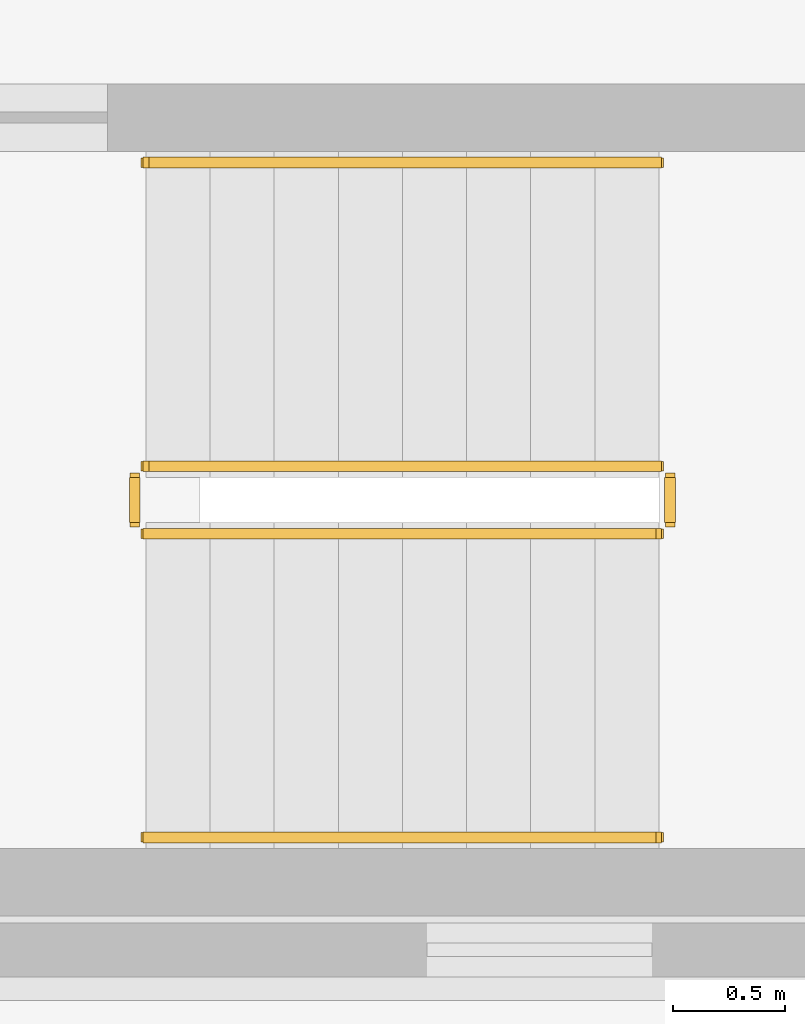
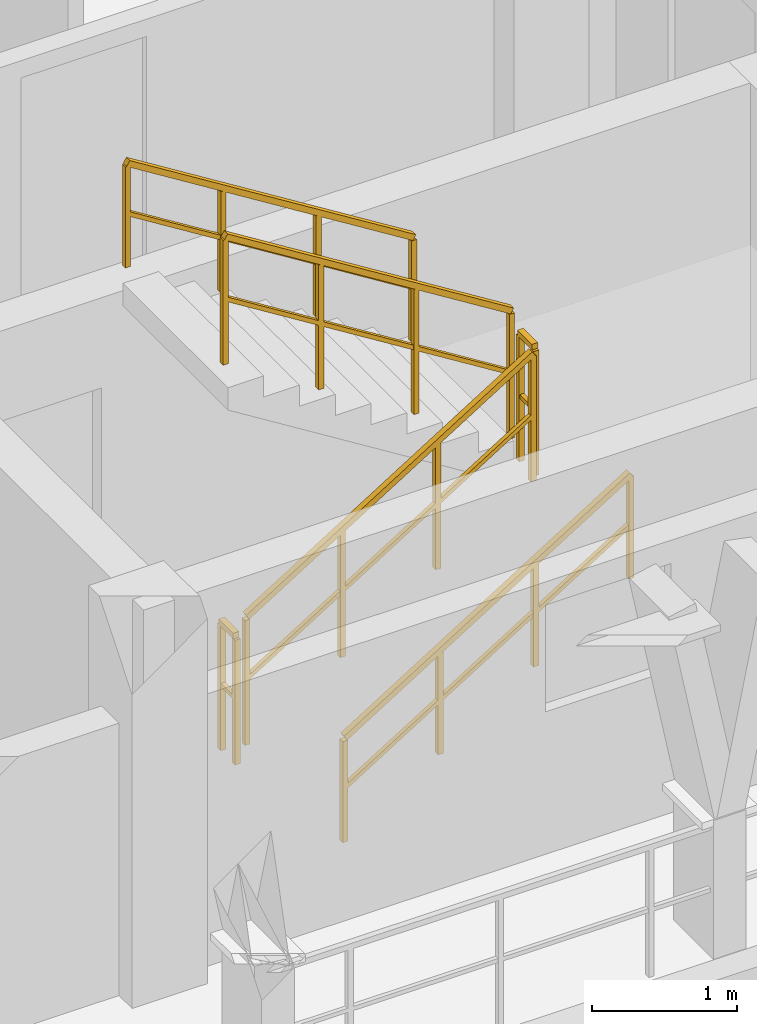
# One storey, part 51 of 56: 6 railings.
"""IFC4 building model written with IfcOpenShell, lengths in metres."""

from ifc_helpers import new_model, si_unit, direction, frame, origin, origin_2d, place, context, subcontext, project, spatial, rectangle, extrude, material, type_object, element, save


model = new_model("IFC4")

# Units and contexts
model_context = context("Model", 3, precision=1e-05, world=origin(), true_north=direction((0.0, 1.0)))
body_context = subcontext(model_context, "Body", "Model", "MODEL_VIEW")
ifc_project = project(units=[si_unit("LENGTHUNIT", "METRE"), si_unit("AREAUNIT", "SQUARE_METRE"), si_unit("VOLUMEUNIT", "CUBIC_METRE"), si_unit("PLANEANGLEUNIT", "RADIAN"), si_unit("MASSUNIT", "GRAM", prefix="KILO")], contexts=[model_context])

# Site, building, storey
site_placement = place(None, origin())
site = spatial("IfcSite", under=ifc_project, at=site_placement, CompositionType="ELEMENT")
building_placement = place(site_placement, origin())
building = spatial("IfcBuilding", under=site, at=building_placement, Name="Suanplinth Sawtooth Commons", CompositionType="ELEMENT")
storey_placement = place(building_placement, frame((0.0, 0.0, 34.800048828125)))
storey = spatial("IfcBuildingStorey", under=building, at=storey_placement, Name="L10", CompositionType="ELEMENT", Elevation=34.800048828125)

# Railings
ifc_material = material(Name="Stainless steel Grade 304", Category="steel")
railing_type_1 = type_object("IfcRailingType", Name="GR-04", PredefinedType="GUARDRAIL", material=ifc_material)
railing_1_placement = place(storey_placement, frame((59.449951171875, 109.85009765625, 0.177734375)))
element("IfcRailing", 1, at=railing_1_placement, inside=storey, type_object=railing_type_1, Name="L10 ST-N2 Guard 1", PredefinedType="GUARDRAIL", context=body_context, shape_type="SweptSolid", body=[
    extrude(rectangle(XDim=0.048095703125, YDim=0.048095703125, at=origin_2d()), frame((0.0, 0.0, 1.076171875), z_axis=(0.848482842525, 0.0, 0.529222888715), x_axis=(0.0, 1.0, 0.0)), (0.0, 0.0, 1.0), 2.687255859375),
    extrude(rectangle(XDim=0.03369140625, YDim=0.03369140625, at=origin_2d()), frame((0.0, 0.0, 0.550048828125), z_axis=(0.848482842525, 0.0, 0.529222888715), x_axis=(0.0, 1.0, 0.0)), (0.0, 0.0, 1.0), 2.687255859375),
    extrude(rectangle(XDim=0.0419921875, YDim=0.0419921875, at=origin_2d()), origin(), (0.0, 0.0, 1.0), 1.052001953125),
    extrude(rectangle(XDim=0.0419921875, YDim=0.0419921875, at=origin_2d()), frame((0.760009765625, 0.0, 0.47412109375)), (0.0, 0.0, 1.0), 1.052001953125),
    extrude(rectangle(XDim=0.0419921875, YDim=0.0419921875, at=origin_2d()), frame((1.52001953125, 0.0, 0.947998046875)), (0.0, 0.0, 1.0), 1.052001953125),
    extrude(rectangle(XDim=0.0419921875, YDim=0.0419921875, at=origin_2d()), frame((2.280029296875, 0.0, 1.422119140625)), (0.0, 0.0, 1.0), 1.052001953125),
])
railing_2_placement = place(storey_placement, frame((61.780029296875, 109.89990234375, 1.599853515625)))
element("IfcRailing", 2, at=railing_2_placement, inside=storey, type_object=railing_type_1, Name="L10 ST-N2 Guard 2", PredefinedType="GUARDRAIL", context=body_context, shape_type="SweptSolid", body=[
    extrude(rectangle(XDim=0.048095703125, YDim=0.048095703125, at=origin_2d()), frame((0.0, 0.0, 1.076171875), z_axis=(0.0, 1.0, 0.0), x_axis=(-1.0, 0.0, 0.0)), (0.0, 0.0, 1.0), 0.2001953125),
    extrude(rectangle(XDim=0.03369140625, YDim=0.03369140625, at=origin_2d()), frame((0.0, 0.0, 0.550048828125), z_axis=(0.0, 1.0, 0.0), x_axis=(-1.0, 0.0, 0.0)), (0.0, 0.0, 1.0), 0.2001953125),
    extrude(rectangle(XDim=0.0419921875, YDim=0.0419921875, at=origin_2d()), origin(), (0.0, 0.0, 1.0), 1.052001953125),
    extrude(rectangle(XDim=0.0419921875, YDim=0.0419921875, at=origin_2d()), frame((0.0, 0.2001953125, 0.0)), (0.0, 0.0, 1.0), 1.052001953125),
])
railing_3_placement = place(storey_placement, frame((61.72998046875, 110.14990234375, 1.77783203125)))
element("IfcRailing", 3, at=railing_3_placement, inside=storey, type_object=railing_type_1, Name="L10 ST-N2 Guard 3", PredefinedType="GUARDRAIL", context=body_context, shape_type="SweptSolid", body=[
    extrude(rectangle(XDim=0.048095703125, YDim=0.048095703125, at=origin_2d()), frame((0.0, 0.0, 1.076171875), z_axis=(-0.848482842525, 0.0, 0.529222888715), x_axis=(0.0, -1.0, 0.0)), (0.0, 0.0, 1.0), 2.687255859375),
    extrude(rectangle(XDim=0.03369140625, YDim=0.03369140625, at=origin_2d()), frame((0.0, 0.0, 0.550048828125), z_axis=(-0.848482842525, 0.0, 0.529222888715), x_axis=(0.0, -1.0, 0.0)), (0.0, 0.0, 1.0), 2.687255859375),
    extrude(rectangle(XDim=0.0419921875, YDim=0.0419921875, at=origin_2d()), origin(), (0.0, 0.0, 1.0), 1.052001953125),
    extrude(rectangle(XDim=0.0419921875, YDim=0.0419921875, at=origin_2d()), frame((-0.760009765625, 0.0, 0.47412109375)), (0.0, 0.0, 1.0), 1.052001953125),
    extrude(rectangle(XDim=0.0419921875, YDim=0.0419921875, at=origin_2d()), frame((-1.52001953125, 0.0, 0.947998046875)), (0.0, 0.0, 1.0), 1.052001953125),
    extrude(rectangle(XDim=0.0419921875, YDim=0.0419921875, at=origin_2d()), frame((-2.280029296875, 0.0, 1.422119140625)), (0.0, 0.0, 1.0), 1.052001953125),
])
railing_4_placement = place(storey_placement, frame((59.39990234375, 109.89990234375, 0.0)))
element("IfcRailing", 4, at=railing_4_placement, inside=storey, type_object=railing_type_1, Name="L10 ST-N2 Guard 4", PredefinedType="GUARDRAIL", context=body_context, shape_type="SweptSolid", body=[
    extrude(rectangle(XDim=0.048095703125, YDim=0.048095703125, at=origin_2d()), frame((0.0, 0.0, 1.076171875), z_axis=(0.0, 1.0, 0.0), x_axis=(-1.0, 0.0, 0.0)), (0.0, 0.0, 1.0), 0.2001953125),
    extrude(rectangle(XDim=0.03369140625, YDim=0.03369140625, at=origin_2d()), frame((0.0, 0.0, 0.550048828125), z_axis=(0.0, 1.0, 0.0), x_axis=(-1.0, 0.0, 0.0)), (0.0, 0.0, 1.0), 0.2001953125),
    extrude(rectangle(XDim=0.0419921875, YDim=0.0419921875, at=origin_2d()), origin(), (0.0, 0.0, 1.0), 1.052001953125),
    extrude(rectangle(XDim=0.0419921875, YDim=0.0419921875, at=origin_2d()), frame((0.0, 0.2001953125, 0.0)), (0.0, 0.0, 1.0), 1.052001953125),
])
railing_type_2 = type_object("IfcRailingType", Name="HR-01", PredefinedType="HANDRAIL", material=ifc_material)
railing_5_placement = place(storey_placement, frame((59.449951171875, 108.5, 0.177734375)))
element("IfcRailing", 5, at=railing_5_placement, inside=storey, type_object=railing_type_2, Name="L10 ST-N2 Handrail 1", PredefinedType="HANDRAIL", context=body_context, shape_type="SweptSolid", body=[
    extrude(rectangle(XDim=0.048095703125, YDim=0.048095703125, at=origin_2d()), frame((0.0, 0.0, 0.8759765625), z_axis=(0.848482842525, 0.0, 0.529222888715), x_axis=(0.0, 1.0, 0.0)), (0.0, 0.0, 1.0), 2.687255859375),
    extrude(rectangle(XDim=0.03369140625, YDim=0.03369140625, at=origin_2d()), frame((0.0, 0.0, 0.449951171875), z_axis=(0.848482842525, 0.0, 0.529222888715), x_axis=(0.0, 1.0, 0.0)), (0.0, 0.0, 1.0), 2.687255859375),
    extrude(rectangle(XDim=0.0419921875, YDim=0.0419921875, at=origin_2d()), origin(), (0.0, 0.0, 1.0), 0.851806640625),
    extrude(rectangle(XDim=0.0419921875, YDim=0.0419921875, at=origin_2d()), frame((0.760009765625, 0.0, 0.47412109375)), (0.0, 0.0, 1.0), 0.851806640625),
    extrude(rectangle(XDim=0.0419921875, YDim=0.0419921875, at=origin_2d()), frame((1.52001953125, 0.0, 0.947998046875)), (0.0, 0.0, 1.0), 0.851806640625),
    extrude(rectangle(XDim=0.0419921875, YDim=0.0419921875, at=origin_2d()), frame((2.280029296875, 0.0, 1.422119140625)), (0.0, 0.0, 1.0), 0.851806640625),
])
railing_6_placement = place(storey_placement, frame((61.72998046875, 111.5, 1.77783203125)))
element("IfcRailing", 6, at=railing_6_placement, inside=storey, type_object=railing_type_2, Name="L10 ST-N2 Handrail 2", PredefinedType="HANDRAIL", context=body_context, shape_type="SweptSolid", body=[
    extrude(rectangle(XDim=0.048095703125, YDim=0.048095703125, at=origin_2d()), frame((0.0, 0.0, 0.8759765625), z_axis=(-0.848482842525, 0.0, 0.529222888715), x_axis=(0.0, -1.0, 0.0)), (0.0, 0.0, 1.0), 2.687255859375),
    extrude(rectangle(XDim=0.03369140625, YDim=0.03369140625, at=origin_2d()), frame((0.0, 0.0, 0.449951171875), z_axis=(-0.848482842525, 0.0, 0.529222888715), x_axis=(0.0, -1.0, 0.0)), (0.0, 0.0, 1.0), 2.687255859375),
    extrude(rectangle(XDim=0.0419921875, YDim=0.0419921875, at=origin_2d()), origin(), (0.0, 0.0, 1.0), 0.851806640625),
    extrude(rectangle(XDim=0.0419921875, YDim=0.0419921875, at=origin_2d()), frame((-0.760009765625, 0.0, 0.47412109375)), (0.0, 0.0, 1.0), 0.851806640625),
    extrude(rectangle(XDim=0.0419921875, YDim=0.0419921875, at=origin_2d()), frame((-1.52001953125, 0.0, 0.947998046875)), (0.0, 0.0, 1.0), 0.851806640625),
    extrude(rectangle(XDim=0.0419921875, YDim=0.0419921875, at=origin_2d()), frame((-2.280029296875, 0.0, 1.422119140625)), (0.0, 0.0, 1.0), 0.851806640625),
])

save(model, "model.ifc")
